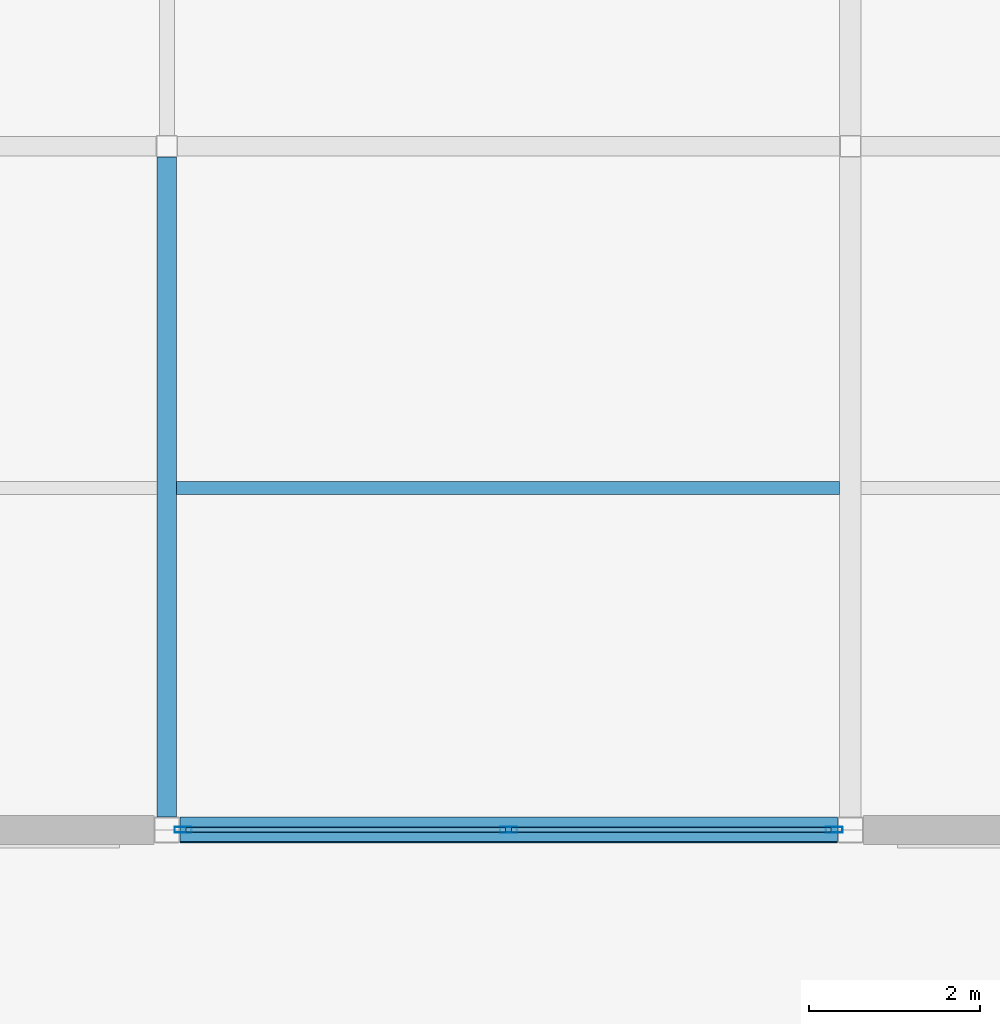
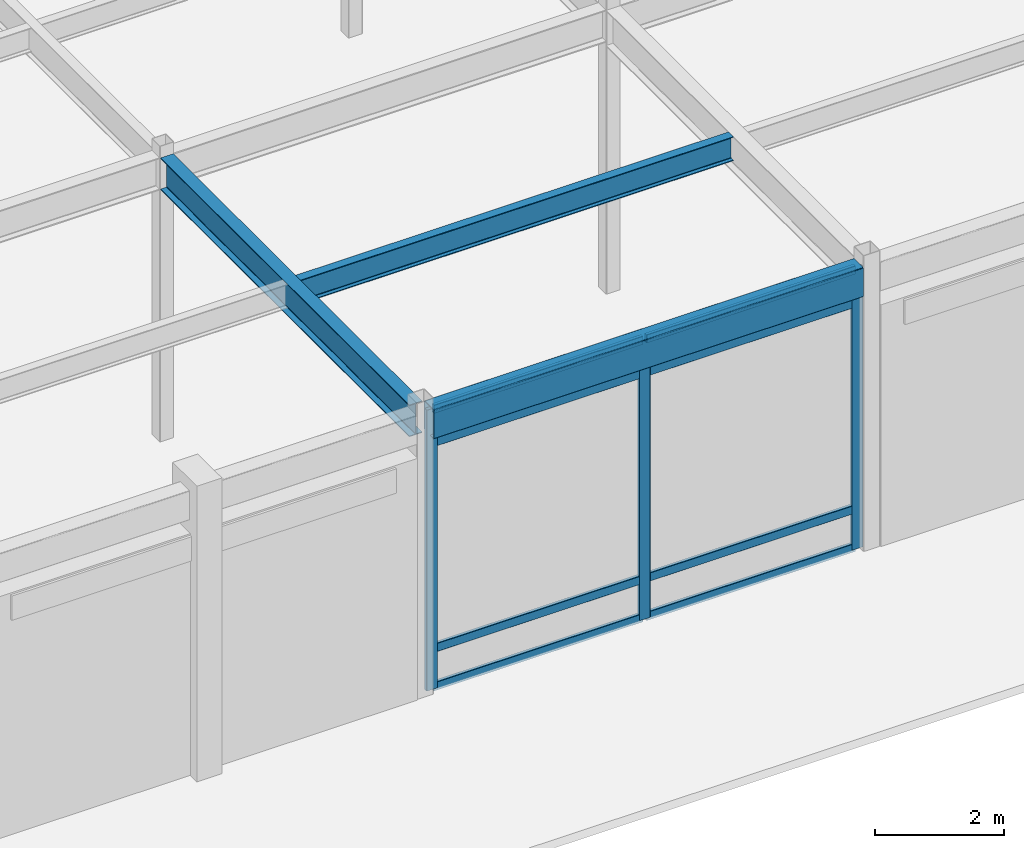
# One storey, part 33 of 128: 11 members, 3 beams, 1 element without a shape of its own.
"""IFC4 building model written with IfcOpenShell, lengths in metres."""

from ifc_helpers import new_model, si_unit, direction, frame, origin, origin_2d, place, context, subcontext, project, spatial, hollow_rectangle, i_section, extrude, material, material_profile, profile_set, type_object, element, aggregate, save


model = new_model("IFC4")

# Units and contexts
model_context = context("Model", 3, precision=1e-05, world=origin(), true_north=direction((0.0, 1.0)))
body_context = subcontext(model_context, "Body", "Model", "MODEL_VIEW")
ifc_project = project(units=[si_unit("LENGTHUNIT", "METRE"), si_unit("AREAUNIT", "SQUARE_METRE"), si_unit("VOLUMEUNIT", "CUBIC_METRE"), si_unit("PLANEANGLEUNIT", "RADIAN"), si_unit("MASSUNIT", "GRAM", prefix="KILO")], contexts=[model_context])

# Site, building, storey
site_placement = place(None, origin())
site = spatial("IfcSite", under=ifc_project, at=site_placement, CompositionType="ELEMENT")
building_placement = place(site_placement, origin())
building = spatial("IfcBuilding", under=site, at=building_placement, Name="Solmirada Galleria", CompositionType="ELEMENT")
storey_placement = place(building_placement, origin())
storey = spatial("IfcBuildingStorey", under=building, at=storey_placement, Name="L00", CompositionType="ELEMENT", Elevation=0.0)

# Beams
ifc_material_1 = material(Name="Steel S355 / ASTM A992 Grade 50", Category="steel")
ifc_material_profile_1 = material_profile(ifc_material_1, i_section(OverallWidth=0.22802734375, OverallDepth=0.60302734375, WebThickness=0.010498046875, FlangeThickness=0.014892578125, FilletRadius=0.014892578125, at=origin_2d()), Name="W24X68")
ifc_profile_set_1 = profile_set([ifc_material_profile_1], Name="Steel S355 / ASTM A992 Grade 50")
beam_type_1 = type_object("IfcBeamType", Name="BM-GIRD-W24C", PredefinedType="BEAM", material=ifc_profile_set_1)
beam_1_placement = place(storey_placement, frame((56.0, 0.152587890625, 5.07861328125), z_axis=(0.0, 1.0, 0.0), x_axis=(-1.0, 0.0, 0.0)))
element("IfcBeam", 1, at=beam_1_placement, inside=storey, type_object=beam_type_1, Name="Primary girder L01 Y(56, 0..8)", PredefinedType="BEAM", context=body_context, shape_type="SweptSolid", body=[
    extrude(i_section(OverallWidth=0.22802734375, OverallDepth=0.60302734375, WebThickness=0.010498046875, FlangeThickness=0.014892578125, FilletRadius=0.014892578125, at=origin_2d()), origin(), (0.0, 0.0, 1.0), 7.720458984375),
])
ifc_material_profile_2 = material_profile(ifc_material_1, i_section(OverallWidth=0.153076171875, OverallDepth=0.455078125, WebThickness=0.008056640625, FlangeThickness=0.01318359375, FilletRadius=0.011962890625, at=origin_2d()), Name="W18X40")
ifc_profile_set_2 = profile_set([ifc_material_profile_2], Name="Steel S355 / ASTM A992 Grade 50")
beam_type_2 = type_object("IfcBeamType", Name="BM-JST-W18A", PredefinedType="JOIST", material=ifc_profile_set_2)
beam_2_placement = place(storey_placement, frame((56.114013671875, 4.0, 5.152587890625), z_axis=(1.0, 0.0, 0.0), x_axis=(0.0, 1.0, 0.0)))
element("IfcBeam", 2, at=beam_2_placement, inside=storey, type_object=beam_type_2, Name="Composite floor joist L01 (56..64, 4.0)", PredefinedType="JOIST", context=body_context, shape_type="SweptSolid", body=[
    extrude(i_section(OverallWidth=0.153076171875, OverallDepth=0.455078125, WebThickness=0.008056640625, FlangeThickness=0.01318359375, FilletRadius=0.011962890625, at=origin_2d()), origin(), (0.0, 0.0, 1.0), 7.759033203125),
])
ifc_material_2 = material(Name="Steel S355 / ASTM A500 Grade C", Category="steel")
ifc_material_profile_3 = material_profile(ifc_material_2, hollow_rectangle(XDim=0.304931640625, YDim=0.55908203125, WallThickness=0.01171875, InnerFilletRadius=0.01171875, OuterFilletRadius=0.023681640625, at=origin_2d()), Name="HSS22X12X1/2")
ifc_profile_set_3 = profile_set([ifc_material_profile_3], Name="Steel S355 / ASTM A500 Grade C")
beam_type_3 = type_object("IfcBeamType", Name="BM-SPAND-W21", PredefinedType="SPANDREL", material=ifc_profile_set_3)
beam_3_placement = place(storey_placement, frame((56.152587890625, 0.0, 5.1005859375), z_axis=(1.0, 0.0, 0.0), x_axis=(0.0, 1.0, 0.0)))
element("IfcBeam", 3, at=beam_3_placement, inside=storey, type_object=beam_type_3, Name="Primary beam L01 X(56..64, 0)", PredefinedType="SPANDREL", context=body_context, shape_type="SweptSolid", body=[
    extrude(hollow_rectangle(XDim=0.304931640625, YDim=0.55908203125, WallThickness=0.01171875, InnerFilletRadius=0.01171875, OuterFilletRadius=0.023681640625, at=origin_2d()), origin(), (0.0, 0.0, 1.0), 7.69482421875),
])

# Curtain wall, members
ifc_material_3 = material(Name="Impact-resistant low-E double glazing", Category="glass")
curtain_wall_type = type_object("IfcCurtainWallType", Name="CW-FZ1-L00-B2-L077", PredefinedType="NOTDEFINED", material=ifc_material_3)
curtain_wall_placement = place(storey_placement, origin())
curtain_wall = element("IfcCurtainWall", 4, at=curtain_wall_placement, inside=storey, type_object=curtain_wall_type, Name="Terrace and arcade storefront CW-L00-027", PredefinedType="NOTDEFINED")
ifc_material_4 = material(Name="Anodised aluminium framing", Category="aluminium")
ifc_material_profile_4 = material_profile(ifc_material_4, hollow_rectangle(XDim=0.070068359375, YDim=0.199951171875, WallThickness=0.004150390625, InnerFilletRadius=0.004150390625, OuterFilletRadius=0.00830078125, at=origin_2d()), Name="ALU-MULL-200X70")
ifc_profile_set_4 = profile_set([ifc_material_profile_4], Name="Anodised aluminium framing")
member_type_1 = type_object("IfcMemberType", Name="CW-MULL-200", PredefinedType="MULLION", material=ifc_profile_set_4)
member_1_placement = place(storey_placement, frame((63.810546875, 0.0, 0.0), z_axis=(0.0, 0.0, 1.0), x_axis=(0.0, -1.0, 0.0)))
member_1 = element("IfcMember", 5, at=member_1_placement, type_object=member_type_1, Name="CW11 mullion 1", PredefinedType="MULLION", context=body_context, shape_type="SweptSolid", body=[
    extrude(hollow_rectangle(XDim=0.070068359375, YDim=0.199951171875, WallThickness=0.004150390625, InnerFilletRadius=0.004150390625, OuterFilletRadius=0.00830078125, at=origin_2d()), origin(), (0.0, 0.0, 1.0), 5.320068359375),
])
member_2_placement = place(storey_placement, frame((60.0, 0.0, 0.0), z_axis=(0.0, 0.0, 1.0), x_axis=(0.0, -1.0, 0.0)))
member_2 = element("IfcMember", 6, at=member_2_placement, type_object=member_type_1, Name="CW11 mullion 2", PredefinedType="MULLION", context=body_context, shape_type="SweptSolid", body=[
    extrude(hollow_rectangle(XDim=0.070068359375, YDim=0.199951171875, WallThickness=0.004150390625, InnerFilletRadius=0.004150390625, OuterFilletRadius=0.00830078125, at=origin_2d()), origin(), (0.0, 0.0, 1.0), 5.320068359375),
])
member_3_placement = place(storey_placement, frame((56.189453125, 0.0, 0.0), z_axis=(0.0, 0.0, 1.0), x_axis=(0.0, -1.0, 0.0)))
member_3 = element("IfcMember", 7, at=member_3_placement, type_object=member_type_1, Name="CW11 mullion 3", PredefinedType="MULLION", context=body_context, shape_type="SweptSolid", body=[
    extrude(hollow_rectangle(XDim=0.070068359375, YDim=0.199951171875, WallThickness=0.004150390625, InnerFilletRadius=0.004150390625, OuterFilletRadius=0.00830078125, at=origin_2d()), origin(), (0.0, 0.0, 1.0), 5.320068359375),
])
ifc_material_profile_5 = material_profile(ifc_material_4, hollow_rectangle(XDim=0.06494140625, YDim=0.159912109375, WallThickness=0.00390625, InnerFilletRadius=0.00390625, OuterFilletRadius=0.007568359375, at=origin_2d()), Name="ALU-TRAN-160X65")
ifc_profile_set_5 = profile_set([ifc_material_profile_5], Name="Anodised aluminium framing")
member_type_2 = type_object("IfcMemberType", Name="CW-TRAN-160", PredefinedType="USERDEFINED", material=ifc_profile_set_5)
member_4_placement = place(storey_placement, frame((63.775390625, 0.0, 0.032470703125), z_axis=(-1.0, 0.0, 0.0), x_axis=(0.0, -1.0, 0.0)))
member_4 = element("IfcMember", 8, at=member_4_placement, type_object=member_type_2, Name="CW11 transom 1.1", ObjectType="TRANSOM", PredefinedType="USERDEFINED", context=body_context, shape_type="SweptSolid", body=[
    extrude(hollow_rectangle(XDim=0.06494140625, YDim=0.159912109375, WallThickness=0.00390625, InnerFilletRadius=0.00390625, OuterFilletRadius=0.007568359375, at=origin_2d()), origin(), (0.0, 0.0, 1.0), 3.740478515625),
])
member_5_placement = place(storey_placement, frame((63.775390625, 0.0, 0.760009765625), z_axis=(-1.0, 0.0, 0.0), x_axis=(0.0, -1.0, 0.0)))
member_5 = element("IfcMember", 9, at=member_5_placement, type_object=member_type_2, Name="CW11 transom 1.2", ObjectType="TRANSOM", PredefinedType="USERDEFINED", context=body_context, shape_type="SweptSolid", body=[
    extrude(hollow_rectangle(XDim=0.06494140625, YDim=0.159912109375, WallThickness=0.00390625, InnerFilletRadius=0.00390625, OuterFilletRadius=0.007568359375, at=origin_2d()), origin(), (0.0, 0.0, 1.0), 3.740478515625),
])
member_6_placement = place(storey_placement, frame((63.775390625, 0.0, 4.659912109375), z_axis=(-1.0, 0.0, 0.0), x_axis=(0.0, -1.0, 0.0)))
member_6 = element("IfcMember", 10, at=member_6_placement, type_object=member_type_2, Name="CW11 transom 1.3", ObjectType="TRANSOM", PredefinedType="USERDEFINED", context=body_context, shape_type="SweptSolid", body=[
    extrude(hollow_rectangle(XDim=0.06494140625, YDim=0.159912109375, WallThickness=0.00390625, InnerFilletRadius=0.00390625, OuterFilletRadius=0.007568359375, at=origin_2d()), origin(), (0.0, 0.0, 1.0), 3.740478515625),
])
member_7_placement = place(storey_placement, frame((63.775390625, 0.0, 5.28759765625), z_axis=(-1.0, 0.0, 0.0), x_axis=(0.0, -1.0, 0.0)))
member_7 = element("IfcMember", 11, at=member_7_placement, type_object=member_type_2, Name="CW11 transom 1.4", ObjectType="TRANSOM", PredefinedType="USERDEFINED", context=body_context, shape_type="SweptSolid", body=[
    extrude(hollow_rectangle(XDim=0.06494140625, YDim=0.159912109375, WallThickness=0.00390625, InnerFilletRadius=0.00390625, OuterFilletRadius=0.007568359375, at=origin_2d()), origin(), (0.0, 0.0, 1.0), 3.740478515625),
])
member_8_placement = place(storey_placement, frame((59.965087890625, 0.0, 0.032470703125), z_axis=(-1.0, 0.0, 0.0), x_axis=(0.0, -1.0, 0.0)))
member_8 = element("IfcMember", 12, at=member_8_placement, type_object=member_type_2, Name="CW11 transom 2.1", ObjectType="TRANSOM", PredefinedType="USERDEFINED", context=body_context, shape_type="SweptSolid", body=[
    extrude(hollow_rectangle(XDim=0.06494140625, YDim=0.159912109375, WallThickness=0.00390625, InnerFilletRadius=0.00390625, OuterFilletRadius=0.007568359375, at=origin_2d()), origin(), (0.0, 0.0, 1.0), 3.740478515625),
])
member_9_placement = place(storey_placement, frame((59.965087890625, 0.0, 0.760009765625), z_axis=(-1.0, 0.0, 0.0), x_axis=(0.0, -1.0, 0.0)))
member_9 = element("IfcMember", 13, at=member_9_placement, type_object=member_type_2, Name="CW11 transom 2.2", ObjectType="TRANSOM", PredefinedType="USERDEFINED", context=body_context, shape_type="SweptSolid", body=[
    extrude(hollow_rectangle(XDim=0.06494140625, YDim=0.159912109375, WallThickness=0.00390625, InnerFilletRadius=0.00390625, OuterFilletRadius=0.007568359375, at=origin_2d()), origin(), (0.0, 0.0, 1.0), 3.740478515625),
])
member_10_placement = place(storey_placement, frame((59.965087890625, 0.0, 4.659912109375), z_axis=(-1.0, 0.0, 0.0), x_axis=(0.0, -1.0, 0.0)))
member_10 = element("IfcMember", 14, at=member_10_placement, type_object=member_type_2, Name="CW11 transom 2.3", ObjectType="TRANSOM", PredefinedType="USERDEFINED", context=body_context, shape_type="SweptSolid", body=[
    extrude(hollow_rectangle(XDim=0.06494140625, YDim=0.159912109375, WallThickness=0.00390625, InnerFilletRadius=0.00390625, OuterFilletRadius=0.007568359375, at=origin_2d()), origin(), (0.0, 0.0, 1.0), 3.740478515625),
])
member_11_placement = place(storey_placement, frame((59.965087890625, 0.0, 5.28759765625), z_axis=(-1.0, 0.0, 0.0), x_axis=(0.0, -1.0, 0.0)))
member_11 = element("IfcMember", 15, at=member_11_placement, type_object=member_type_2, Name="CW11 transom 2.4", ObjectType="TRANSOM", PredefinedType="USERDEFINED", context=body_context, shape_type="SweptSolid", body=[
    extrude(hollow_rectangle(XDim=0.06494140625, YDim=0.159912109375, WallThickness=0.00390625, InnerFilletRadius=0.00390625, OuterFilletRadius=0.007568359375, at=origin_2d()), origin(), (0.0, 0.0, 1.0), 3.740478515625),
])
aggregate(curtain_wall, [member_1, member_2, member_3, member_4, member_5, member_6, member_7, member_8, member_9, member_10, member_11])

save(model, "model.ifc")
